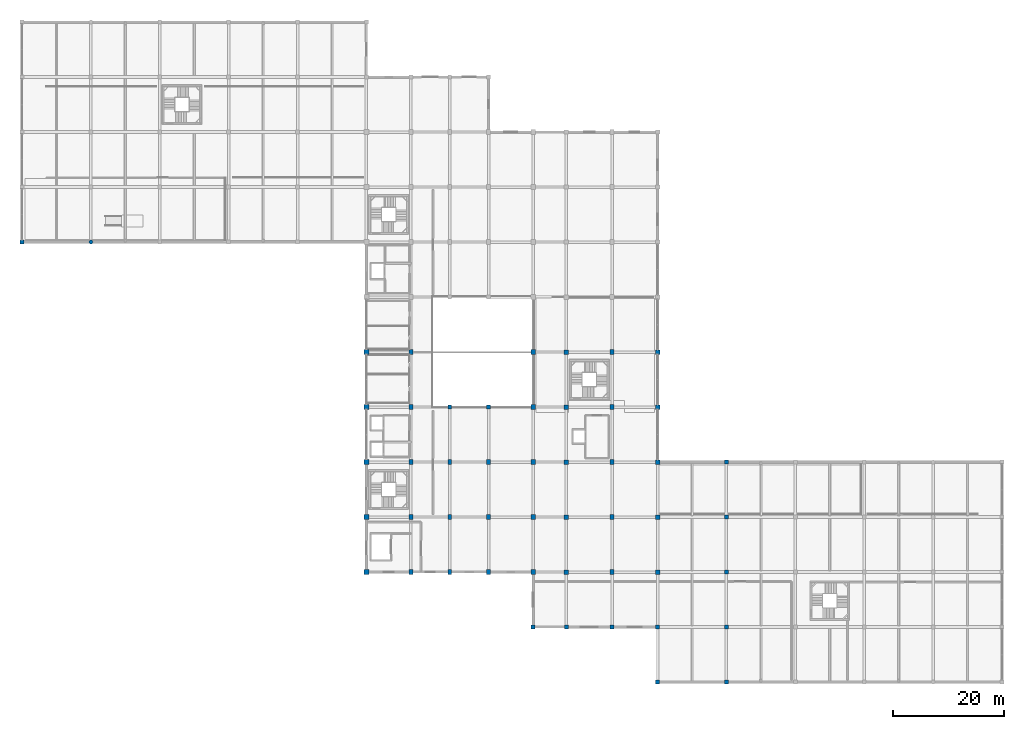
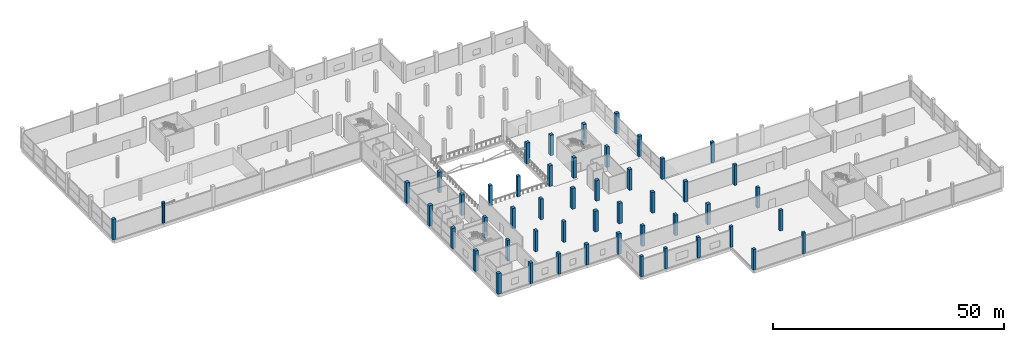
# One storey, part 1 of 74: 50 columns.
"""IFC4 building model written with IfcOpenShell, lengths in metres."""

import ifcopenshell
import ifcopenshell.guid

model = None  # the IFC model being written
_history = None  # IfcOwnerHistory: only IFC2X3 demands one
_inside = {}  # id of a spatial element -> (the spatial element, [elements in it])
_under = {}  # id of a project, library or spatial element -> (it, [spatial elements below it])
_declared = {}  # id of a project -> (the project, [libraries it declares])
_typed = {}  # id of a type object -> (the type object, [elements of that type])
_made_of = {}  # id of a material, layer set ... -> (it, [elements and type objects made of it])


def new_model(schema):
    """Start an empty IFC model of exactly this schema.

    Asked for "IFC4X3", IfcOpenShell would pick the latest addendum, in which some entities
    have other attributes; the version numbers below select the first issue.
    IFC2X3 requires an IfcOwnerHistory on every rooted entity: one is made here for all.
    """
    global model, _history
    if schema == "IFC4X3":
        model = ifcopenshell.file(schema_version=(4, 3, 0, 0))
    else:
        model = ifcopenshell.file(schema=schema)
    _inside.clear()
    _under.clear()
    _declared.clear()
    _typed.clear()
    _made_of.clear()
    _history = None
    if model.schema == "IFC2X3":
        org = make("IfcOrganization", Name="unknown")
        user = make(
            "IfcPersonAndOrganization",
            ThePerson=make("IfcPerson", FamilyName="unknown"),
            TheOrganization=org,
        )
        app = make(
            "IfcApplication",
            ApplicationDeveloper=org,
            Version="unknown",
            ApplicationFullName="unknown",
            ApplicationIdentifier="unknown",
        )
        _history = make(
            "IfcOwnerHistory",
            OwningUser=user,
            OwningApplication=app,
            ChangeAction="ADDED",
            CreationDate=0,
        )
    return model


def make(cls, **values):
    """One entity of the class cls with the attributes given. An attribute that is None is left unset."""
    return model.create_entity(
        cls, **{name: value for name, value in values.items() if value is not None}
    )


def rooted(cls, **values):
    """An entity with a GlobalId (a new one), such as an element, a storey or a relation."""
    return make(cls, GlobalId=ifcopenshell.guid.new(), OwnerHistory=_history, **values)


def si_unit(unit_type, name, prefix=None):
    """IfcSIUnit, for example si_unit("LENGTHUNIT", "METRE", prefix="MILLI")."""
    return make("IfcSIUnit", UnitType=unit_type, Prefix=prefix, Name=name)


def assignment(units):
    """IfcUnitAssignment: the units of a project."""
    return None if units is None else make("IfcUnitAssignment", Units=units)


def point(xyz):
    """IfcCartesianPoint."""
    return None if xyz is None else make("IfcCartesianPoint", Coordinates=xyz)


def direction(xyz):
    """IfcDirection."""
    return None if xyz is None else make("IfcDirection", DirectionRatios=xyz)


def frame(location, z_axis=None, x_axis=None):
    """IfcAxis2Placement3D, a coordinate frame: its origin and axes. An axis left out is left unset."""
    return make(
        "IfcAxis2Placement3D",
        Location=point(location),
        Axis=direction(z_axis),
        RefDirection=direction(x_axis),
    )


def frame_2d(location, x_axis=None):
    """IfcAxis2Placement2D, a coordinate frame in the plane: its origin and x axis."""
    return make(
        "IfcAxis2Placement2D", Location=point(location), RefDirection=direction(x_axis)
    )


def origin():
    """The frame at (0, 0, 0) with its axes left unset."""
    return frame((0.0, 0.0, 0.0))


def origin_2d():
    """The frame at (0, 0) in the plane with its x axis left unset."""
    return frame_2d((0.0, 0.0))


def place(relative_to, where):
    """IfcLocalPlacement: puts the frame where relative to a parent placement (None: the world)."""
    return make(
        "IfcLocalPlacement", PlacementRelTo=relative_to, RelativePlacement=where
    )


def context(
    kind, dimensions, precision=None, world=None, true_north=None, identifier=None
):
    """IfcGeometricRepresentationContext, for example the 3D "Model" context."""
    return make(
        "IfcGeometricRepresentationContext",
        ContextIdentifier=identifier,
        ContextType=kind,
        CoordinateSpaceDimension=dimensions,
        Precision=precision,
        WorldCoordinateSystem=world,
        TrueNorth=true_north,
    )


def subcontext(parent, identifier, kind, view, scale=None):
    """IfcGeometricRepresentationSubContext, for example "Body" below "Model"."""
    return make(
        "IfcGeometricRepresentationSubContext",
        ContextIdentifier=identifier,
        ContextType=kind,
        ParentContext=parent,
        TargetScale=scale,
        TargetView=view,
    )


def project(units=None, contexts=None):
    """IfcProject with its units and contexts."""
    return rooted(
        "IfcProject",
        Name="project",
        RepresentationContexts=contexts,
        UnitsInContext=assignment(units),
    )


def spatial(cls, under=None, at=None, **own):
    """A site, building, storey or space (cls), placed at a placement, below another one or the project."""
    s = rooted(cls, ObjectPlacement=at, **own)
    if under is not None:
        _under.setdefault(under.id(), (under, []))[1].append(s)
    return s


def profile(cls, at=None, kind="AREA", **sizes):
    """A parametric profile (cls). Its sizes go by their IFC names, for example OverallWidth=200.0."""
    return make(cls, ProfileType=kind, Position=at, **sizes)


def rectangle(**sizes):
    """IfcRectangleProfileDef."""
    return profile("IfcRectangleProfileDef", **sizes)


def circle(**sizes):
    """IfcCircleProfileDef."""
    return profile("IfcCircleProfileDef", **sizes)


def extrude(swept, where, along, depth):
    """IfcExtrudedAreaSolid: the profile swept, set in the frame where, extruded along a direction by depth."""
    return make(
        "IfcExtrudedAreaSolid",
        SweptArea=swept,
        Position=where,
        ExtrudedDirection=direction(along),
        Depth=depth,
    )


def shape(context_of_items, identifier, shape_type, items):
    """IfcShapeRepresentation: the items that make up one representation, for example the "Body"."""
    return make(
        "IfcShapeRepresentation",
        ContextOfItems=context_of_items,
        RepresentationIdentifier=identifier,
        RepresentationType=shape_type,
        Items=items,
    )


def material(Name=None, Category=None):
    """IfcMaterial."""
    return make("IfcMaterial", Name=Name, Category=Category)


def material_profile(
    of_material, cross_section, Name=None, Category=None, Priority=None
):
    """IfcMaterialProfile: a cross section and its material."""
    return make(
        "IfcMaterialProfile",
        Name=Name,
        Material=of_material,
        Profile=cross_section,
        Priority=Priority,
        Category=Category,
    )


def profile_set(profiles, Name=None, composite=None):
    """IfcMaterialProfileSet."""
    return make(
        "IfcMaterialProfileSet",
        Name=Name,
        MaterialProfiles=profiles,
        CompositeProfile=composite,
    )


def made_of(thing, what):
    """Note that an element or type object is made of a material, layer set ...; save() writes the relation."""
    if what is not None:
        _made_of.setdefault(what.id(), (what, []))[1].append(thing)
    return thing


def type_object(cls, material=None, **own):
    """A type object (cls), such as IfcWallType, which elements share."""
    return made_of(rooted(cls, **own), material)


def element(
    cls,
    number,
    at=None,
    inside=None,
    cuts=None,
    type_object=None,
    material=None,
    context=None,
    identifier="Body",
    shape_type=None,
    held_by="IfcProductDefinitionShape",
    body=None,
    shapes=None,
    **own,
):
    """One element of the class cls, such as IfcWall. Its Tag is "e" and its number.

    at: its placement. inside: the storey or other place that contains it. cuts: it is an
    opening in that element (IfcRelVoidsElement). A single representation is given by context,
    identifier, shape_type and body (its items); several are given by shapes. held_by: the class
    of the entity that holds the representations. save() writes the other relations.
    """
    e = rooted(cls, Tag="e%d" % number, ObjectPlacement=at, **own)
    if body is not None:
        shapes = [shape(context, identifier, shape_type, body)]
    if shapes is not None:
        e.Representation = make(held_by, Representations=shapes)
    if inside is not None:
        _inside.setdefault(inside.id(), (inside, []))[1].append(e)
    if cuts is not None:
        rooted(
            "IfcRelVoidsElement", RelatingBuildingElement=cuts, RelatedOpeningElement=e
        )
    if type_object is not None:
        _typed.setdefault(type_object.id(), (type_object, []))[1].append(e)
    return made_of(e, material)


def aggregate(whole, parts):
    """IfcRelAggregates: a whole, such as a stair, and the parts it consists of."""
    return rooted("IfcRelAggregates", RelatingObject=whole, RelatedObjects=parts)


def save(model, path):
    """Write the relations noted so far, then the file.

    IfcRelAggregates (storeys below a building ...), IfcRelContainedInSpatialStructure (elements
    in a storey), IfcRelDefinesByType, IfcRelAssociatesMaterial and IfcRelDeclares: one each for
    every whole, place, type object, material and project.
    """
    for whole, parts in _under.values():
        aggregate(whole, parts)
    for where, things in _inside.values():
        rooted(
            "IfcRelContainedInSpatialStructure",
            RelatedElements=things,
            RelatingStructure=where,
        )
    for kind, things in _typed.values():
        rooted("IfcRelDefinesByType", RelatedObjects=things, RelatingType=kind)
    for what, things in _made_of.values():
        rooted("IfcRelAssociatesMaterial", RelatedObjects=things, RelatingMaterial=what)
    for by, libraries in _declared.values():
        rooted("IfcRelDeclares", RelatingContext=by, RelatedDefinitions=libraries)
    model.write(path)


model = new_model("IFC4")

# Units and contexts
model_context = context("Model", 3, precision=1e-05, world=origin(), true_north=direction((0.0, 1.0)))
body_context = subcontext(model_context, "Body", "Model", "MODEL_VIEW")
ifc_project = project(units=[si_unit("LENGTHUNIT", "METRE"), si_unit("AREAUNIT", "SQUARE_METRE"), si_unit("VOLUMEUNIT", "CUBIC_METRE"), si_unit("PLANEANGLEUNIT", "RADIAN"), si_unit("MASSUNIT", "GRAM", prefix="KILO")], contexts=[model_context])

# Site, building, storey
site_placement = place(None, origin())
site = spatial("IfcSite", under=ifc_project, at=site_placement, CompositionType="ELEMENT")
building_placement = place(site_placement, origin())
building = spatial("IfcBuilding", under=site, at=building_placement, Name="Sillaruma Civic Art Gallery", CompositionType="ELEMENT")
storey_placement = place(building_placement, frame((0.0, 0.0, 5.43994140625)))
storey = spatial("IfcBuildingStorey", under=building, at=storey_placement, Name="L01", CompositionType="ELEMENT", Elevation=5.43994140625)

# Columns
ifc_material = material(Name="Concrete H40 (40 MPa)", Category="concrete")
ifc_material_profile_1 = material_profile(ifc_material, rectangle(XDim=0.699951171875, YDim=0.699951171875, at=origin_2d()), Name="RC700x700")
ifc_profile_set_1 = profile_set([ifc_material_profile_1], Name="Concrete H40 (40 MPa)")
column_type_1 = type_object("IfcColumnType", Name="COL-COLUMN-RC700x700", PredefinedType="COLUMN", material=ifc_profile_set_1)
for number, where, z_axis, x_axis, name in (
    (1, (0.0, 79.199951171875, 0.0), (0.0, 0.0, 1.0), (1.0, 0.0, 0.0), "Column C-06 (L01:A9)"),
    (2, (77.0, 49.5, 0.0), (0.0, 0.0, 1.0), (1.0, 0.0, 0.0), "Column C-06 (L01:H6)"),
    (3, (84.0, 49.5, 0.0), (0.0, 0.0, 1.0), (1.0, 0.0, 0.0), "Column C-06 (L01:J6)"),
    (4, (92.0, 9.89990234375, 0.0), (0.0, 0.0, 1.0), (1.0, 0.0, 0.0), "Column C-06 (L01:K2)"),
    (5, (98.0, 9.89990234375, 0.0), (0.0, 0.0, 1.0), (1.0, 0.0, 0.0), "Column C-06 (L01:L2)"),
    (6, (106.199951171875, 9.89990234375, 0.0), (0.0, 0.0, 1.0), (1.0, 0.0, 0.0), "Column C-06 (L01:M2)"),
    (7, (114.39990234375, 0.0, 0.0), (0.0, 0.0, 1.0), (1.0, 0.0, 0.0), "Column C-06 (L01:N1)"),
    (8, (114.39990234375, 9.89990234375, 0.0), (0.0, 0.0, 1.0), (1.0, 0.0, 0.0), "Column C-06 (L01:N2)"),
    (9, (126.800048828125, 0.0, 0.0), (0.0, 0.0, 1.0), (1.0, 0.0, 0.0), "Column C-06 (L01:P1)"),
    (10, (126.800048828125, 9.89990234375, 0.0), (0.0, 0.0, 1.0), (1.0, 0.0, 0.0), "Column C-06 (L01:P2)"),
    (11, (126.800048828125, 19.800048828125, 0.0), (0.0, 0.0, 1.0), (1.0, 0.0, 0.0), "Column C-06 (L01:P3)"),
    (12, (126.800048828125, 29.699951171875, 0.0), (0.0, 0.0, 1.0), (1.0, 0.0, 0.0), "Column C-06 (L01:P4)"),
    (13, (126.800048828125, 39.60009765625, 0.0), (0.0, 0.0, 1.0), (1.0, 0.0, 0.0), "Column C-06 (L01:P5)"),
):
    element("IfcColumn", number, at=place(storey_placement, frame(where, z_axis=z_axis, x_axis=x_axis)), inside=storey, type_object=column_type_1, Name=name, PredefinedType="COLUMN", context=body_context, shape_type="SweptSolid", body=[
        extrude(rectangle(XDim=0.699951171875, YDim=0.699951171875, at=origin_2d()), origin(), (0.0, 0.0, 1.0), 5.43994140625),
    ])
ifc_material_profile_2 = material_profile(ifc_material, rectangle(XDim=0.800048828125, YDim=0.800048828125, at=origin_2d()), Name="RC800x800")
ifc_profile_set_2 = profile_set([ifc_material_profile_2], Name="Concrete H40 (40 MPa)")
column_type_2 = type_object("IfcColumnType", Name="COL-COLUMN-RC800x800", PredefinedType="COLUMN", material=ifc_profile_set_2)
for number, where, z_axis, x_axis, name in (
    (14, (98.0, 19.800048828125, 0.0), (0.0, 0.0, 1.0), (1.0, 0.0, 0.0), "Column C-04 (L01:L3)"),
    (15, (98.0, 29.699951171875, 0.0), (0.0, 0.0, 1.0), (1.0, 0.0, 0.0), "Column C-04 (L01:L4)"),
    (16, (98.0, 39.60009765625, 0.0), (0.0, 0.0, 1.0), (1.0, 0.0, 0.0), "Column C-04 (L01:L5)"),
    (17, (98.0, 49.5, 0.0), (0.0, 0.0, 1.0), (1.0, 0.0, 0.0), "Column C-04 (L01:L6)"),
    (18, (98.0, 59.39990234375, 0.0), (0.0, 0.0, 1.0), (1.0, 0.0, 0.0), "Column C-04 (L01:L7)"),
    (19, (114.39990234375, 19.800048828125, 0.0), (0.0, 0.0, 1.0), (1.0, 0.0, 0.0), "Column C-04 (L01:N3)"),
    (20, (114.39990234375, 29.699951171875, 0.0), (0.0, 0.0, 1.0), (1.0, 0.0, 0.0), "Column C-04 (L01:N4)"),
    (21, (114.39990234375, 39.60009765625, 0.0), (0.0, 0.0, 1.0), (1.0, 0.0, 0.0), "Column C-04 (L01:N5)"),
    (22, (114.39990234375, 49.5, 0.0), (0.0, 0.0, 1.0), (1.0, 0.0, 0.0), "Column C-04 (L01:N6)"),
    (23, (114.39990234375, 59.39990234375, 0.0), (0.0, 0.0, 1.0), (1.0, 0.0, 0.0), "Column C-04 (L01:N7)"),
):
    element("IfcColumn", number, at=place(storey_placement, frame(where, z_axis=z_axis, x_axis=x_axis)), inside=storey, type_object=column_type_2, Name=name, PredefinedType="COLUMN", context=body_context, shape_type="SweptSolid", body=[
        extrude(rectangle(XDim=0.800048828125, YDim=0.800048828125, at=origin_2d()), origin(), (0.0, 0.0, 1.0), 5.43994140625),
    ])
ifc_material_profile_3 = material_profile(ifc_material, rectangle(XDim=0.85009765625, YDim=0.85009765625, at=origin_2d()), Name="RC850x850")
ifc_profile_set_3 = profile_set([ifc_material_profile_3], Name="Concrete H40 (40 MPa)")
column_type_3 = type_object("IfcColumnType", Name="COL-COLUMN-RC850x850", PredefinedType="COLUMN", material=ifc_profile_set_3)
for number, where, z_axis, x_axis, name in (
    (24, (62.0, 19.800048828125, 0.0), (0.0, 0.0, 1.0), (1.0, 0.0, 0.0), "Column C-03 (L01:F3)"),
    (25, (62.0, 29.699951171875, 0.0), (0.0, 0.0, 1.0), (1.0, 0.0, 0.0), "Column C-03 (L01:F4)"),
    (26, (62.0, 39.60009765625, 0.0), (0.0, 0.0, 1.0), (1.0, 0.0, 0.0), "Column C-03 (L01:F5)"),
    (27, (62.0, 49.5, 0.0), (0.0, 0.0, 1.0), (1.0, 0.0, 0.0), "Column C-03 (L01:F6)"),
    (28, (62.0, 59.39990234375, 0.0), (0.0, 0.0, 1.0), (1.0, 0.0, 0.0), "Column C-03 (L01:F7)"),
    (29, (92.0, 19.800048828125, 0.0), (0.0, 0.0, 1.0), (1.0, 0.0, 0.0), "Column C-03 (L01:K3)"),
    (30, (92.0, 29.699951171875, 0.0), (0.0, 0.0, 1.0), (1.0, 0.0, 0.0), "Column C-03 (L01:K4)"),
    (31, (92.0, 39.60009765625, 0.0), (0.0, 0.0, 1.0), (1.0, 0.0, 0.0), "Column C-03 (L01:K5)"),
    (32, (92.0, 49.5, 0.0), (0.0, 0.0, 1.0), (1.0, 0.0, 0.0), "Column C-03 (L01:K6)"),
    (33, (92.0, 59.39990234375, 0.0), (0.0, 0.0, 1.0), (1.0, 0.0, 0.0), "Column C-03 (L01:K7)"),
):
    element("IfcColumn", number, at=place(storey_placement, frame(where, z_axis=z_axis, x_axis=x_axis)), inside=storey, type_object=column_type_3, Name=name, PredefinedType="COLUMN", context=body_context, shape_type="SweptSolid", body=[
        extrude(rectangle(XDim=0.85009765625, YDim=0.85009765625, at=origin_2d()), origin(), (0.0, 0.0, 1.0), 5.43994140625),
    ])
ifc_material_profile_4 = material_profile(ifc_material, rectangle(XDim=0.699951171875, YDim=0.89990234375, at=origin_2d()), Name="RC900x700")
ifc_profile_set_4 = profile_set([ifc_material_profile_4], Name="Concrete H40 (40 MPa)")
column_type_4 = type_object("IfcColumnType", Name="COL-COLUMN-RC900x700", PredefinedType="COLUMN", material=ifc_profile_set_4)
for number, where, z_axis, x_axis, name in (
    (34, (70.0, 19.800048828125, 0.0), (0.0, 0.0, 1.0), (1.0, 0.0, 0.0), "Column C-09 (L01:G3)"),
    (35, (70.0, 29.699951171875, 0.0), (0.0, 0.0, 1.0), (1.0, 0.0, 0.0), "Column C-09 (L01:G4)"),
    (36, (70.0, 39.60009765625, 0.0), (0.0, 0.0, 1.0), (1.0, 0.0, 0.0), "Column C-09 (L01:G5)"),
    (37, (70.0, 49.5, 0.0), (0.0, 0.0, 1.0), (1.0, 0.0, 0.0), "Column C-09 (L01:G6)"),
    (38, (70.0, 59.39990234375, 0.0), (0.0, 0.0, 1.0), (1.0, 0.0, 0.0), "Column C-09 (L01:G7)"),
    (39, (77.0, 19.800048828125, 0.0), (0.0, 0.0, 1.0), (1.0, 0.0, 0.0), "Column C-09 (L01:H3)"),
    (40, (77.0, 29.699951171875, 0.0), (0.0, 0.0, 1.0), (1.0, 0.0, 0.0), "Column C-09 (L01:H4)"),
    (41, (77.0, 39.60009765625, 0.0), (0.0, 0.0, 1.0), (1.0, 0.0, 0.0), "Column C-09 (L01:H5)"),
    (42, (84.0, 19.800048828125, 0.0), (0.0, 0.0, 1.0), (1.0, 0.0, 0.0), "Column C-09 (L01:J3)"),
    (43, (84.0, 29.699951171875, 0.0), (0.0, 0.0, 1.0), (1.0, 0.0, 0.0), "Column C-09 (L01:J4)"),
    (44, (84.0, 39.60009765625, 0.0), (0.0, 0.0, 1.0), (1.0, 0.0, 0.0), "Column C-09 (L01:J5)"),
    (45, (106.199951171875, 19.800048828125, 0.0), (0.0, 0.0, 1.0), (1.0, 0.0, 0.0), "Column C-09 (L01:M3)"),
    (46, (106.199951171875, 29.699951171875, 0.0), (0.0, 0.0, 1.0), (1.0, 0.0, 0.0), "Column C-09 (L01:M4)"),
    (47, (106.199951171875, 39.60009765625, 0.0), (0.0, 0.0, 1.0), (1.0, 0.0, 0.0), "Column C-09 (L01:M5)"),
    (48, (106.199951171875, 49.5, 0.0), (0.0, 0.0, 1.0), (1.0, 0.0, 0.0), "Column C-09 (L01:M6)"),
    (49, (106.199951171875, 59.39990234375, 0.0), (0.0, 0.0, 1.0), (1.0, 0.0, 0.0), "Column C-09 (L01:M7)"),
):
    element("IfcColumn", number, at=place(storey_placement, frame(where, z_axis=z_axis, x_axis=x_axis)), inside=storey, type_object=column_type_4, Name=name, PredefinedType="COLUMN", context=body_context, shape_type="SweptSolid", body=[
        extrude(rectangle(XDim=0.699951171875, YDim=0.89990234375, at=origin_2d()), origin(), (0.0, 0.0, 1.0), 5.43994140625),
    ])
ifc_material_profile_5 = material_profile(ifc_material, circle(Radius=0.360107421875, at=origin_2d()), Name="RCC720")
ifc_profile_set_5 = profile_set([ifc_material_profile_5], Name="Concrete H40 (40 MPa)")
column_type_5 = type_object("IfcColumnType", Name="COL-COLUMN-RCC720", PredefinedType="COLUMN", material=ifc_profile_set_5)
column_placement = place(storey_placement, frame((12.39990234375, 79.199951171875, 0.0), z_axis=(0.0, 0.0, 1.0), x_axis=(1.0, 0.0, 0.0)))
element("IfcColumn", 50, at=column_placement, inside=storey, type_object=column_type_5, Name="Column CC-02 (L01:B9)", PredefinedType="COLUMN", context=body_context, shape_type="SweptSolid", body=[
    extrude(circle(Radius=0.360107421875, at=origin_2d()), origin(), (0.0, 0.0, 1.0), 5.43994140625),
])

save(model, "model.ifc")
